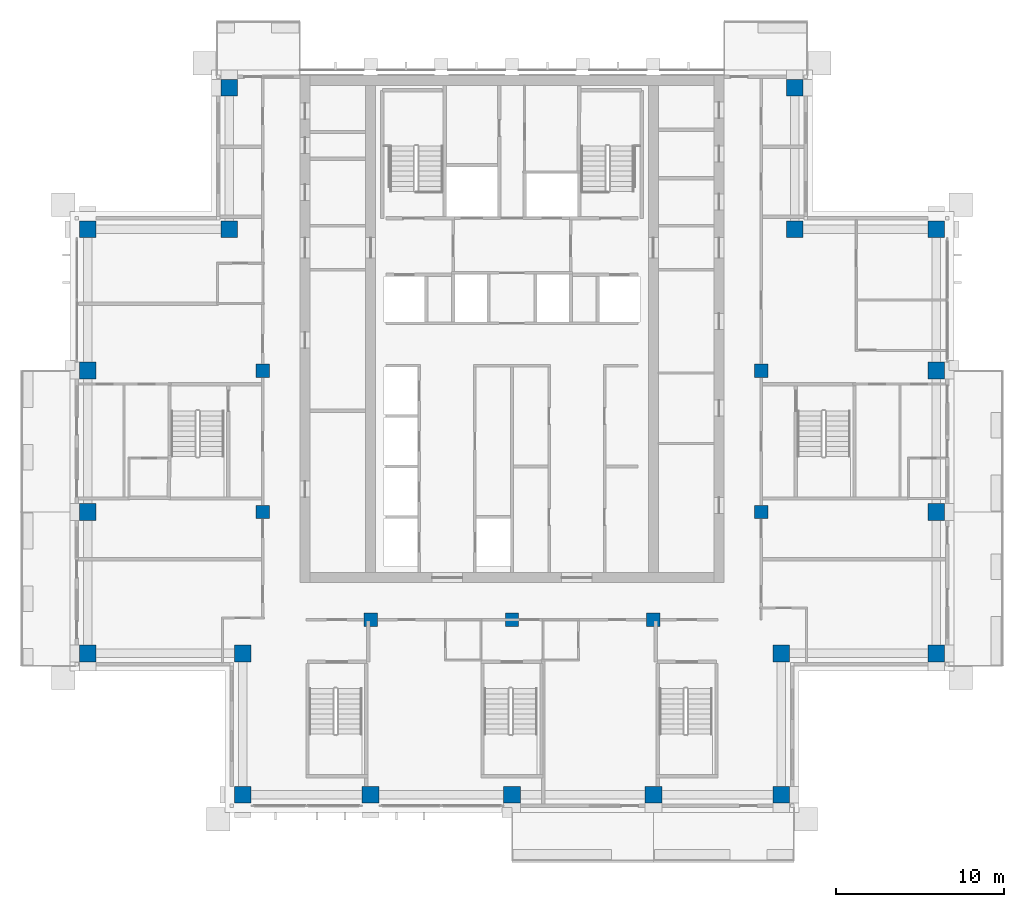
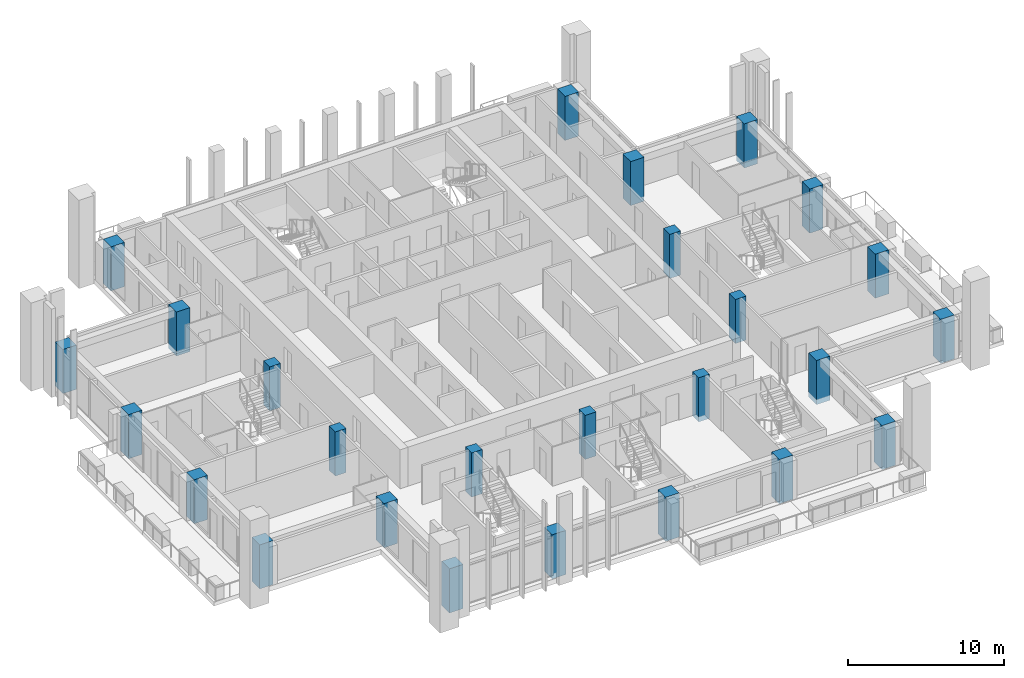
# One storey, part 1 of 18: 26 columns.
"""IFC4 building model written with IfcOpenShell, lengths in metres."""

from ifc_helpers import new_model, si_unit, direction, frame, origin, origin_2d, place, context, subcontext, project, spatial, rectangle, extrude, material, material_profile, profile_set, type_object, element, save


model = new_model("IFC4")

# Units and contexts
model_context = context("Model", 3, precision=1e-05, world=origin(), true_north=direction((0.0, 1.0)))
body_context = subcontext(model_context, "Body", "Model", "MODEL_VIEW")
ifc_project = project(units=[si_unit("LENGTHUNIT", "METRE"), si_unit("AREAUNIT", "SQUARE_METRE"), si_unit("VOLUMEUNIT", "CUBIC_METRE"), si_unit("PLANEANGLEUNIT", "RADIAN"), si_unit("MASSUNIT", "GRAM", prefix="KILO")], contexts=[model_context])

# Site, building, storey
site_placement = place(None, origin())
site = spatial("IfcSite", under=ifc_project, at=site_placement, CompositionType="ELEMENT")
building_placement = place(site_placement, origin())
building = spatial("IfcBuilding", under=site, at=building_placement, Name="Vermilion Ogive Tower", CompositionType="ELEMENT")
storey_placement = place(building_placement, frame((0.0, 0.0, 199.699951171875)))
storey = spatial("IfcBuildingStorey", under=building, at=storey_placement, Name="L52", CompositionType="ELEMENT", Elevation=199.699951171875)

# Columns
ifc_material_1 = material(Name="Concrete B60", Category="concrete")
ifc_material_profile_1 = material_profile(ifc_material_1, rectangle(XDim=1.0, YDim=1.0, at=origin_2d()), Name="1000 x 1000")
ifc_profile_set_1 = profile_set([ifc_material_profile_1], Name="Concrete B60")
column_type_1 = type_object("IfcColumnType", Name="Perimeter column 1000 x 1000 B60", PredefinedType="COLUMN", material=ifc_profile_set_1)
for number, where, z_axis, x_axis, name in (
    (1, (-16.0, -21.0, -0.39990234375), (0.0, 0.0, 1.0), (1.0, 0.0, 0.0), "COL-L52-P-0160-210"),
    (2, (-8.39990234375, -21.0, -0.39990234375), (0.0, 0.0, 1.0), (1.0, 0.0, 0.0), "COL-L52-P-0084-210"),
    (3, (0.0, -21.0, -0.39990234375), (0.0, 0.0, 1.0), (1.0, 0.0, 0.0), "COL-L52-P+0000-210"),
    (4, (8.39990234375, -21.0, -0.39990234375), (0.0, 0.0, 1.0), (1.0, 0.0, 0.0), "COL-L52-P+0084-210"),
    (5, (16.0, -21.0, -0.39990234375), (0.0, 0.0, 1.0), (1.0, 0.0, 0.0), "COL-L52-P+0160-210"),
    (6, (-25.199951171875, -12.60009765625, -0.39990234375), (0.0, 0.0, 1.0), (1.0, 0.0, 0.0), "COL-L52-P-0252-126"),
    (7, (-16.0, -12.60009765625, -0.39990234375), (0.0, 0.0, 1.0), (1.0, 0.0, 0.0), "COL-L52-P-0160-126"),
    (8, (16.0, -12.60009765625, -0.39990234375), (0.0, 0.0, 1.0), (1.0, 0.0, 0.0), "COL-L52-P+0160-126"),
    (9, (25.199951171875, -12.60009765625, -0.39990234375), (0.0, 0.0, 1.0), (1.0, 0.0, 0.0), "COL-L52-P+0252-126"),
    (10, (-25.199951171875, -4.199951171875, -0.39990234375), (0.0, 0.0, 1.0), (1.0, 0.0, 0.0), "COL-L52-P-0252-042"),
    (11, (25.199951171875, -4.199951171875, -0.39990234375), (0.0, 0.0, 1.0), (1.0, 0.0, 0.0), "COL-L52-P+0252-042"),
    (12, (-25.199951171875, 4.199951171875, -0.39990234375), (0.0, 0.0, 1.0), (1.0, 0.0, 0.0), "COL-L52-P-0252+042"),
    (13, (25.199951171875, 4.199951171875, -0.39990234375), (0.0, 0.0, 1.0), (1.0, 0.0, 0.0), "COL-L52-P+0252+042"),
    (14, (-25.199951171875, 12.60009765625, -0.39990234375), (0.0, 0.0, 1.0), (1.0, 0.0, 0.0), "COL-L52-P-0252+126"),
    (15, (-16.800048828125, 12.60009765625, -0.39990234375), (0.0, 0.0, 1.0), (1.0, 0.0, 0.0), "COL-L52-P-0168+126"),
    (16, (16.800048828125, 12.60009765625, -0.39990234375), (0.0, 0.0, 1.0), (1.0, 0.0, 0.0), "COL-L52-P+0168+126"),
    (17, (25.199951171875, 12.60009765625, -0.39990234375), (0.0, 0.0, 1.0), (1.0, 0.0, 0.0), "COL-L52-P+0252+126"),
    (18, (-16.800048828125, 21.0, -0.39990234375), (0.0, 0.0, 1.0), (1.0, 0.0, 0.0), "COL-L52-P-0168+210"),
    (19, (16.800048828125, 21.0, -0.39990234375), (0.0, 0.0, 1.0), (1.0, 0.0, 0.0), "COL-L52-P+0168+210"),
):
    element("IfcColumn", number, at=place(storey_placement, frame(where, z_axis=z_axis, x_axis=x_axis)), inside=storey, type_object=column_type_1, Name=name, PredefinedType="COLUMN", context=body_context, shape_type="SweptSolid", body=[
        extrude(rectangle(XDim=1.0, YDim=1.0, at=origin_2d()), origin(), (0.0, 0.0, 1.0), 3.449951171875),
    ])
ifc_material_2 = material(Name="Concrete B60", Category="concrete")
ifc_material_profile_2 = material_profile(ifc_material_2, rectangle(XDim=0.800048828125, YDim=0.800048828125, at=origin_2d()), Name="800 x 800")
ifc_profile_set_2 = profile_set([ifc_material_profile_2], Name="Concrete B60")
column_type_2 = type_object("IfcColumnType", Name="Ring column 800 x 800 B60", PredefinedType="COLUMN", material=ifc_profile_set_2)
for number, where, z_axis, x_axis, name in (
    (20, (-8.39990234375, -10.60009765625, -0.39990234375), (0.0, 0.0, 1.0), (1.0, 0.0, 0.0), "COL-L52-R-0084-106"),
    (21, (0.0, -10.60009765625, -0.39990234375), (0.0, 0.0, 1.0), (1.0, 0.0, 0.0), "COL-L52-R+0000-106"),
    (22, (8.39990234375, -10.60009765625, -0.39990234375), (0.0, 0.0, 1.0), (1.0, 0.0, 0.0), "COL-L52-R+0084-106"),
    (23, (-14.800048828125, -4.199951171875, -0.39990234375), (0.0, 0.0, 1.0), (1.0, 0.0, 0.0), "COL-L52-R-0148-042"),
    (24, (14.800048828125, -4.199951171875, -0.39990234375), (0.0, 0.0, 1.0), (1.0, 0.0, 0.0), "COL-L52-R+0148-042"),
    (25, (-14.800048828125, 4.199951171875, -0.39990234375), (0.0, 0.0, 1.0), (1.0, 0.0, 0.0), "COL-L52-R-0148+042"),
    (26, (14.800048828125, 4.199951171875, -0.39990234375), (0.0, 0.0, 1.0), (1.0, 0.0, 0.0), "COL-L52-R+0148+042"),
):
    element("IfcColumn", number, at=place(storey_placement, frame(where, z_axis=z_axis, x_axis=x_axis)), inside=storey, type_object=column_type_2, Name=name, PredefinedType="COLUMN", context=body_context, shape_type="SweptSolid", body=[
        extrude(rectangle(XDim=0.800048828125, YDim=0.800048828125, at=origin_2d()), origin(), (0.0, 0.0, 1.0), 3.449951171875),
    ])

save(model, "model.ifc")
